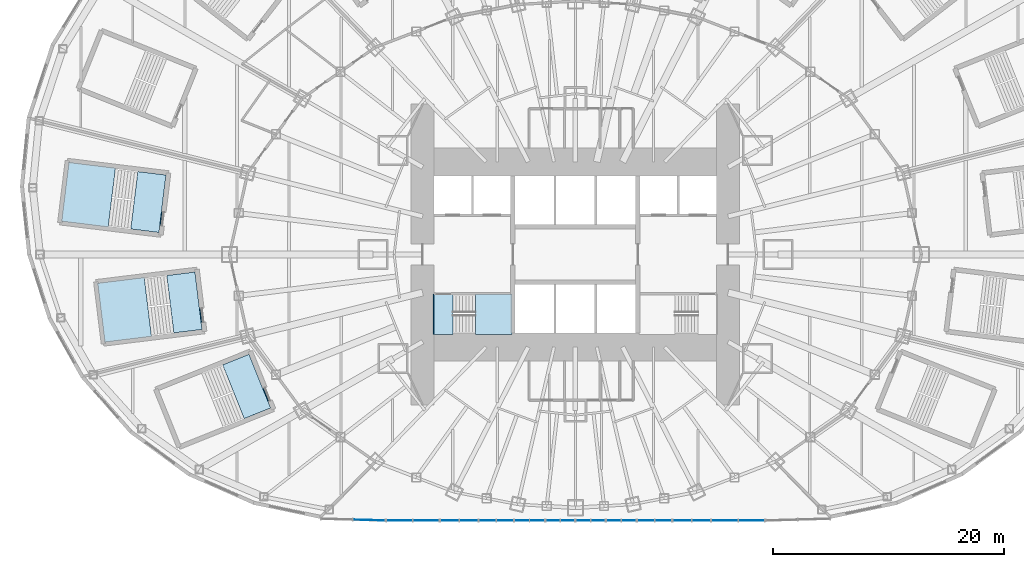
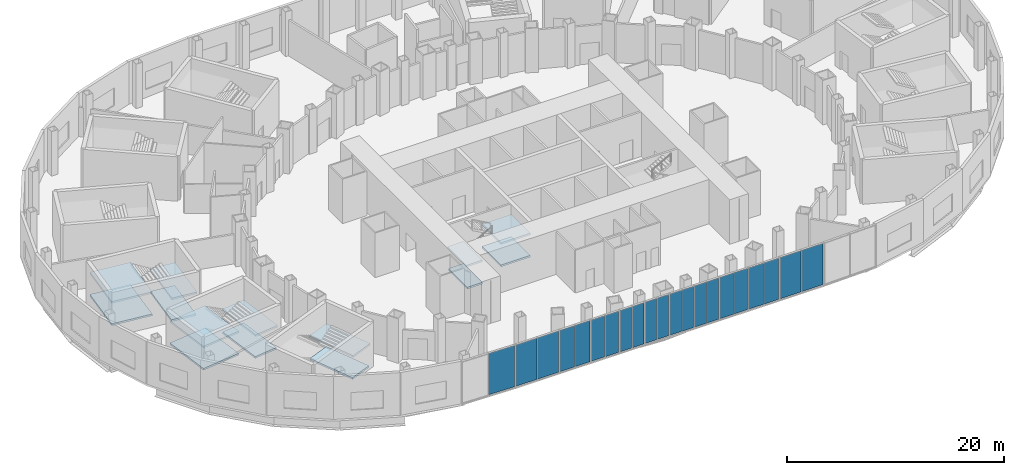
# One storey, part 11 of 73: 21 plates, 14 slabs, 15 elements without a shape of their own.
"""IFC4 building model written with IfcOpenShell, lengths in metres."""

import ifcopenshell
import ifcopenshell.guid

model = None  # the IFC model being written
_history = None  # IfcOwnerHistory: only IFC2X3 demands one
_inside = {}  # id of a spatial element -> (the spatial element, [elements in it])
_under = {}  # id of a project, library or spatial element -> (it, [spatial elements below it])
_declared = {}  # id of a project -> (the project, [libraries it declares])
_typed = {}  # id of a type object -> (the type object, [elements of that type])
_made_of = {}  # id of a material, layer set ... -> (it, [elements and type objects made of it])


def new_model(schema):
    """Start an empty IFC model of exactly this schema.

    Asked for "IFC4X3", IfcOpenShell would pick the latest addendum, in which some entities
    have other attributes; the version numbers below select the first issue.
    IFC2X3 requires an IfcOwnerHistory on every rooted entity: one is made here for all.
    """
    global model, _history
    if schema == "IFC4X3":
        model = ifcopenshell.file(schema_version=(4, 3, 0, 0))
    else:
        model = ifcopenshell.file(schema=schema)
    _inside.clear()
    _under.clear()
    _declared.clear()
    _typed.clear()
    _made_of.clear()
    _history = None
    if model.schema == "IFC2X3":
        org = make("IfcOrganization", Name="unknown")
        user = make(
            "IfcPersonAndOrganization",
            ThePerson=make("IfcPerson", FamilyName="unknown"),
            TheOrganization=org,
        )
        app = make(
            "IfcApplication",
            ApplicationDeveloper=org,
            Version="unknown",
            ApplicationFullName="unknown",
            ApplicationIdentifier="unknown",
        )
        _history = make(
            "IfcOwnerHistory",
            OwningUser=user,
            OwningApplication=app,
            ChangeAction="ADDED",
            CreationDate=0,
        )
    return model


def make(cls, **values):
    """One entity of the class cls with the attributes given. An attribute that is None is left unset."""
    return model.create_entity(
        cls, **{name: value for name, value in values.items() if value is not None}
    )


def rooted(cls, **values):
    """An entity with a GlobalId (a new one), such as an element, a storey or a relation."""
    return make(cls, GlobalId=ifcopenshell.guid.new(), OwnerHistory=_history, **values)


def si_unit(unit_type, name, prefix=None):
    """IfcSIUnit, for example si_unit("LENGTHUNIT", "METRE", prefix="MILLI")."""
    return make("IfcSIUnit", UnitType=unit_type, Prefix=prefix, Name=name)


def assignment(units):
    """IfcUnitAssignment: the units of a project."""
    return None if units is None else make("IfcUnitAssignment", Units=units)


def point(xyz):
    """IfcCartesianPoint."""
    return None if xyz is None else make("IfcCartesianPoint", Coordinates=xyz)


def direction(xyz):
    """IfcDirection."""
    return None if xyz is None else make("IfcDirection", DirectionRatios=xyz)


def frame(location, z_axis=None, x_axis=None):
    """IfcAxis2Placement3D, a coordinate frame: its origin and axes. An axis left out is left unset."""
    return make(
        "IfcAxis2Placement3D",
        Location=point(location),
        Axis=direction(z_axis),
        RefDirection=direction(x_axis),
    )


def frame_2d(location, x_axis=None):
    """IfcAxis2Placement2D, a coordinate frame in the plane: its origin and x axis."""
    return make(
        "IfcAxis2Placement2D", Location=point(location), RefDirection=direction(x_axis)
    )


def origin():
    """The frame at (0, 0, 0) with its axes left unset."""
    return frame((0.0, 0.0, 0.0))


def origin_2d():
    """The frame at (0, 0) in the plane with its x axis left unset."""
    return frame_2d((0.0, 0.0))


def place(relative_to, where):
    """IfcLocalPlacement: puts the frame where relative to a parent placement (None: the world)."""
    return make(
        "IfcLocalPlacement", PlacementRelTo=relative_to, RelativePlacement=where
    )


def context(
    kind, dimensions, precision=None, world=None, true_north=None, identifier=None
):
    """IfcGeometricRepresentationContext, for example the 3D "Model" context."""
    return make(
        "IfcGeometricRepresentationContext",
        ContextIdentifier=identifier,
        ContextType=kind,
        CoordinateSpaceDimension=dimensions,
        Precision=precision,
        WorldCoordinateSystem=world,
        TrueNorth=true_north,
    )


def subcontext(parent, identifier, kind, view, scale=None):
    """IfcGeometricRepresentationSubContext, for example "Body" below "Model"."""
    return make(
        "IfcGeometricRepresentationSubContext",
        ContextIdentifier=identifier,
        ContextType=kind,
        ParentContext=parent,
        TargetScale=scale,
        TargetView=view,
    )


def project(units=None, contexts=None):
    """IfcProject with its units and contexts."""
    return rooted(
        "IfcProject",
        Name="project",
        RepresentationContexts=contexts,
        UnitsInContext=assignment(units),
    )


def spatial(cls, under=None, at=None, **own):
    """A site, building, storey or space (cls), placed at a placement, below another one or the project."""
    s = rooted(cls, ObjectPlacement=at, **own)
    if under is not None:
        _under.setdefault(under.id(), (under, []))[1].append(s)
    return s


def polyline(points):
    """IfcPolyline through the points."""
    return make("IfcPolyline", Points=[point(p) for p in points])


def profile(cls, at=None, kind="AREA", **sizes):
    """A parametric profile (cls). Its sizes go by their IFC names, for example OverallWidth=200.0."""
    return make(cls, ProfileType=kind, Position=at, **sizes)


def rectangle(**sizes):
    """IfcRectangleProfileDef."""
    return profile("IfcRectangleProfileDef", **sizes)


def outline(outer, holes=None, kind="AREA"):
    """IfcArbitraryClosedProfileDef: a profile drawn as a closed curve; with holes, ...WithVoids."""
    if holes is None:
        return make("IfcArbitraryClosedProfileDef", ProfileType=kind, OuterCurve=outer)
    return make(
        "IfcArbitraryProfileDefWithVoids",
        ProfileType=kind,
        OuterCurve=outer,
        InnerCurves=holes,
    )


def extrude(swept, where, along, depth):
    """IfcExtrudedAreaSolid: the profile swept, set in the frame where, extruded along a direction by depth."""
    return make(
        "IfcExtrudedAreaSolid",
        SweptArea=swept,
        Position=where,
        ExtrudedDirection=direction(along),
        Depth=depth,
    )


def shape(context_of_items, identifier, shape_type, items):
    """IfcShapeRepresentation: the items that make up one representation, for example the "Body"."""
    return make(
        "IfcShapeRepresentation",
        ContextOfItems=context_of_items,
        RepresentationIdentifier=identifier,
        RepresentationType=shape_type,
        Items=items,
    )


def material(Name=None, Category=None):
    """IfcMaterial."""
    return make("IfcMaterial", Name=Name, Category=Category)


def layer(
    of_material, thickness, ventilated=None, Name=None, Category=None, Priority=None
):
    """IfcMaterialLayer: one layer of a wall or slab, of a material (None: an air gap)."""
    return make(
        "IfcMaterialLayer",
        Material=of_material,
        LayerThickness=thickness,
        IsVentilated=ventilated,
        Name=Name,
        Category=Category,
        Priority=Priority,
    )


def layer_set(layers, Name=None):
    """IfcMaterialLayerSet."""
    return make("IfcMaterialLayerSet", MaterialLayers=layers, LayerSetName=Name)


def made_of(thing, what):
    """Note that an element or type object is made of a material, layer set ...; save() writes the relation."""
    if what is not None:
        _made_of.setdefault(what.id(), (what, []))[1].append(thing)
    return thing


def type_object(cls, material=None, **own):
    """A type object (cls), such as IfcWallType, which elements share."""
    return made_of(rooted(cls, **own), material)


def element(
    cls,
    number,
    at=None,
    inside=None,
    cuts=None,
    type_object=None,
    material=None,
    context=None,
    identifier="Body",
    shape_type=None,
    held_by="IfcProductDefinitionShape",
    body=None,
    shapes=None,
    **own,
):
    """One element of the class cls, such as IfcWall. Its Tag is "e" and its number.

    at: its placement. inside: the storey or other place that contains it. cuts: it is an
    opening in that element (IfcRelVoidsElement). A single representation is given by context,
    identifier, shape_type and body (its items); several are given by shapes. held_by: the class
    of the entity that holds the representations. save() writes the other relations.
    """
    e = rooted(cls, Tag="e%d" % number, ObjectPlacement=at, **own)
    if body is not None:
        shapes = [shape(context, identifier, shape_type, body)]
    if shapes is not None:
        e.Representation = make(held_by, Representations=shapes)
    if inside is not None:
        _inside.setdefault(inside.id(), (inside, []))[1].append(e)
    if cuts is not None:
        rooted(
            "IfcRelVoidsElement", RelatingBuildingElement=cuts, RelatedOpeningElement=e
        )
    if type_object is not None:
        _typed.setdefault(type_object.id(), (type_object, []))[1].append(e)
    return made_of(e, material)


def aggregate(whole, parts):
    """IfcRelAggregates: a whole, such as a stair, and the parts it consists of."""
    return rooted("IfcRelAggregates", RelatingObject=whole, RelatedObjects=parts)


def save(model, path):
    """Write the relations noted so far, then the file.

    IfcRelAggregates (storeys below a building ...), IfcRelContainedInSpatialStructure (elements
    in a storey), IfcRelDefinesByType, IfcRelAssociatesMaterial and IfcRelDeclares: one each for
    every whole, place, type object, material and project.
    """
    for whole, parts in _under.values():
        aggregate(whole, parts)
    for where, things in _inside.values():
        rooted(
            "IfcRelContainedInSpatialStructure",
            RelatedElements=things,
            RelatingStructure=where,
        )
    for kind, things in _typed.values():
        rooted("IfcRelDefinesByType", RelatedObjects=things, RelatingType=kind)
    for what, things in _made_of.values():
        rooted("IfcRelAssociatesMaterial", RelatedObjects=things, RelatingMaterial=what)
    for by, libraries in _declared.values():
        rooted("IfcRelDeclares", RelatingContext=by, RelatedDefinitions=libraries)
    model.write(path)


model = new_model("IFC4")

# Units and contexts
model_context = context("Model", 3, precision=1e-05, world=origin(), true_north=direction((0.0, 1.0)))
body_context = subcontext(model_context, "Body", "Model", "MODEL_VIEW")
ifc_project = project(units=[si_unit("LENGTHUNIT", "METRE"), si_unit("AREAUNIT", "SQUARE_METRE"), si_unit("VOLUMEUNIT", "CUBIC_METRE"), si_unit("PLANEANGLEUNIT", "RADIAN"), si_unit("MASSUNIT", "GRAM", prefix="KILO")], contexts=[model_context])

# Site, building, storey
site_placement = place(None, origin())
site = spatial("IfcSite", under=ifc_project, at=site_placement, CompositionType="ELEMENT")
building_placement = place(site_placement, origin())
building = spatial("IfcBuilding", under=site, at=building_placement, Name="Lantaw Convention Tower", CompositionType="ELEMENT")
storey_placement = place(building_placement, frame((0.0, 0.0, 22.0)))
storey = spatial("IfcBuildingStorey", under=building, at=storey_placement, Name="L03", CompositionType="ELEMENT", Elevation=22.0)

# Curtain wall, plate
ifc_material_1 = material(Name="Aluminium framed curtain wall", Category="aluminium")
curtain_wall_type = type_object("IfcCurtainWallType", Name="Podium storefront curtain wall, pale aluminium", PredefinedType="USERDEFINED", material=ifc_material_1)
curtain_wall_1_placement = place(storey_placement, origin())
curtain_wall_1 = element("IfcCurtainWall", 1, at=curtain_wall_1_placement, inside=storey, type_object=curtain_wall_type, Name="Podium storefront curtain wall, pale aluminium L03", ObjectType="STOREFRONT", PredefinedType="USERDEFINED")
ifc_material_2 = material(Name="Laminated clear glass", Category="glass")
ifc_layer_1 = layer(ifc_material_2, 0.031982421875)
ifc_layer_set_1 = layer_set([ifc_layer_1], Name="CW-P panel 32")
plate_type = type_object("IfcPlateType", Name="CW-P panel 32", PredefinedType="CURTAIN_PANEL", material=ifc_layer_set_1)
plate_1_placement = place(storey_placement, frame((-17.838134765625, -22.958984375, 0.080078125), z_axis=(0.0, 0.0, 1.0), x_axis=(0.99959230263, -0.028552206976, 0.0)))
plate_1 = element("IfcPlate", 2, at=plate_1_placement, type_object=plate_type, Name="CW-P panel 2.1", PredefinedType="CURTAIN_PANEL", context=body_context, shape_type="SweptSolid", body=[
    extrude(rectangle(XDim=2.705810546875, YDim=0.031982421875, at=origin_2d()), origin(), (0.0, 0.0, 1.0), 4.639892578125),
])
aggregate(curtain_wall_1, [plate_1])

# Curtain wall, plates
curtain_wall_2_placement = place(storey_placement, origin())
curtain_wall_2 = element("IfcCurtainWall", 3, at=curtain_wall_2_placement, inside=storey, type_object=curtain_wall_type, Name="Podium storefront curtain wall, pale aluminium L03", ObjectType="STOREFRONT", PredefinedType="USERDEFINED")
plate_2_placement = place(storey_placement, frame((-15.214111328125, -23.0, 0.080078125), z_axis=(0.0, 0.0, 1.0), x_axis=(1.0, 0.0, 0.0)))
plate_2 = element("IfcPlate", 4, at=plate_2_placement, type_object=plate_type, Name="CW-P panel 1.1", PredefinedType="CURTAIN_PANEL", context=body_context, shape_type="SweptSolid", body=[
    extrude(rectangle(XDim=2.223388671875, YDim=0.031982421875, at=origin_2d()), origin(), (0.0, 0.0, 1.0), 4.639892578125),
])
plate_3_placement = place(storey_placement, frame((-12.91064453125, -23.0, 0.080078125), z_axis=(0.0, 0.0, 1.0), x_axis=(1.0, 0.0, 0.0)))
plate_3 = element("IfcPlate", 5, at=plate_3_placement, type_object=plate_type, Name="CW-P panel 2.1", PredefinedType="CURTAIN_PANEL", context=body_context, shape_type="SweptSolid", body=[
    extrude(rectangle(XDim=2.223388671875, YDim=0.031982421875, at=origin_2d()), origin(), (0.0, 0.0, 1.0), 4.639892578125),
])
aggregate(curtain_wall_2, [plate_2, plate_3])

curtain_wall_3_placement = place(storey_placement, origin())
curtain_wall_3 = element("IfcCurtainWall", 6, at=curtain_wall_3_placement, inside=storey, type_object=curtain_wall_type, Name="Podium storefront curtain wall, pale aluminium L03", ObjectType="STOREFRONT", PredefinedType="USERDEFINED")
plate_4_placement = place(storey_placement, frame((-10.862060546875, -23.0, 0.080078125), z_axis=(0.0, 0.0, 1.0), x_axis=(1.0, 0.0, 0.0)))
plate_4 = element("IfcPlate", 7, at=plate_4_placement, type_object=plate_type, Name="CW-P panel 1.1", PredefinedType="CURTAIN_PANEL", context=body_context, shape_type="SweptSolid", body=[
    extrude(rectangle(XDim=1.553955078125, YDim=0.031982421875, at=origin_2d()), origin(), (0.0, 0.0, 1.0), 4.639892578125),
])
plate_5_placement = place(storey_placement, frame((-9.228271484375, -23.0, 0.080078125), z_axis=(0.0, 0.0, 1.0), x_axis=(1.0, 0.0, 0.0)))
plate_5 = element("IfcPlate", 8, at=plate_5_placement, type_object=plate_type, Name="CW-P panel 2.1", PredefinedType="CURTAIN_PANEL", context=body_context, shape_type="SweptSolid", body=[
    extrude(rectangle(XDim=1.553955078125, YDim=0.031982421875, at=origin_2d()), origin(), (0.0, 0.0, 1.0), 4.639892578125),
])
aggregate(curtain_wall_3, [plate_4, plate_5])

curtain_wall_4_placement = place(storey_placement, origin())
curtain_wall_4 = element("IfcCurtainWall", 9, at=curtain_wall_4_placement, inside=storey, type_object=curtain_wall_type, Name="Podium storefront curtain wall, pale aluminium L03", ObjectType="STOREFRONT", PredefinedType="USERDEFINED")
plate_6_placement = place(storey_placement, frame((-7.5859375, -23.0, 0.080078125), z_axis=(0.0, 0.0, 1.0), x_axis=(1.0, 0.0, 0.0)))
plate_6 = element("IfcPlate", 10, at=plate_6_placement, type_object=plate_type, Name="CW-P panel 1.1", PredefinedType="CURTAIN_PANEL", context=body_context, shape_type="SweptSolid", body=[
    extrude(rectangle(XDim=1.41064453125, YDim=0.031982421875, at=origin_2d()), origin(), (0.0, 0.0, 1.0), 4.639892578125),
])
plate_7_placement = place(storey_placement, frame((-6.09521484375, -23.0, 0.080078125), z_axis=(0.0, 0.0, 1.0), x_axis=(1.0, 0.0, 0.0)))
plate_7 = element("IfcPlate", 11, at=plate_7_placement, type_object=plate_type, Name="CW-P panel 2.1", PredefinedType="CURTAIN_PANEL", context=body_context, shape_type="SweptSolid", body=[
    extrude(rectangle(XDim=1.41064453125, YDim=0.031982421875, at=origin_2d()), origin(), (0.0, 0.0, 1.0), 4.639892578125),
])
aggregate(curtain_wall_4, [plate_6, plate_7])

curtain_wall_5_placement = place(storey_placement, origin())
curtain_wall_5 = element("IfcCurtainWall", 12, at=curtain_wall_5_placement, inside=storey, type_object=curtain_wall_type, Name="Podium storefront curtain wall, pale aluminium L03", ObjectType="STOREFRONT", PredefinedType="USERDEFINED")
plate_8_placement = place(storey_placement, frame((-4.61767578125, -23.0, 0.080078125), z_axis=(0.0, 0.0, 1.0), x_axis=(1.0, 0.0, 0.0)))
plate_8 = element("IfcPlate", 13, at=plate_8_placement, type_object=plate_type, Name="CW-P panel 1.1", PredefinedType="CURTAIN_PANEL", context=body_context, shape_type="SweptSolid", body=[
    extrude(rectangle(XDim=1.224609375, YDim=0.031982421875, at=origin_2d()), origin(), (0.0, 0.0, 1.0), 4.639892578125),
])
plate_9_placement = place(storey_placement, frame((-3.31298828125, -23.0, 0.080078125), z_axis=(0.0, 0.0, 1.0), x_axis=(1.0, 0.0, 0.0)))
plate_9 = element("IfcPlate", 14, at=plate_9_placement, type_object=plate_type, Name="CW-P panel 2.1", PredefinedType="CURTAIN_PANEL", context=body_context, shape_type="SweptSolid", body=[
    extrude(rectangle(XDim=1.224609375, YDim=0.031982421875, at=origin_2d()), origin(), (0.0, 0.0, 1.0), 4.639892578125),
])
aggregate(curtain_wall_5, [plate_8, plate_9])

curtain_wall_6_placement = place(storey_placement, origin())
curtain_wall_6 = element("IfcCurtainWall", 15, at=curtain_wall_6_placement, inside=storey, type_object=curtain_wall_type, Name="Podium storefront curtain wall, pale aluminium L03", ObjectType="STOREFRONT", PredefinedType="USERDEFINED")
plate_10_placement = place(storey_placement, frame((-1.9453125, -23.0, 0.080078125), z_axis=(0.0, 0.0, 1.0), x_axis=(1.0, 0.0, 0.0)))
plate_10 = element("IfcPlate", 16, at=plate_10_placement, type_object=plate_type, Name="CW-P panel 1.1", PredefinedType="CURTAIN_PANEL", context=body_context, shape_type="SweptSolid", body=[
    extrude(rectangle(XDim=1.190185546875, YDim=0.031982421875, at=origin_2d()), origin(), (0.0, 0.0, 1.0), 4.639892578125),
])
plate_11_placement = place(storey_placement, frame((-0.675048828125, -23.0, 0.080078125), z_axis=(0.0, 0.0, 1.0), x_axis=(1.0, 0.0, 0.0)))
plate_11 = element("IfcPlate", 17, at=plate_11_placement, type_object=plate_type, Name="CW-P panel 2.1", PredefinedType="CURTAIN_PANEL", context=body_context, shape_type="SweptSolid", body=[
    extrude(rectangle(XDim=1.190185546875, YDim=0.031982421875, at=origin_2d()), origin(), (0.0, 0.0, 1.0), 4.639892578125),
])
aggregate(curtain_wall_6, [plate_10, plate_11])

curtain_wall_7_placement = place(storey_placement, origin())
curtain_wall_7 = element("IfcCurtainWall", 18, at=curtain_wall_7_placement, inside=storey, type_object=curtain_wall_type, Name="Podium storefront curtain wall, pale aluminium L03", ObjectType="STOREFRONT", PredefinedType="USERDEFINED")
plate_12_placement = place(storey_placement, frame((0.675048828125, -23.0, 0.080078125), z_axis=(0.0, 0.0, 1.0), x_axis=(1.0, 0.0, 0.0)))
plate_12 = element("IfcPlate", 19, at=plate_12_placement, type_object=plate_type, Name="CW-P panel 1.1", PredefinedType="CURTAIN_PANEL", context=body_context, shape_type="SweptSolid", body=[
    extrude(rectangle(XDim=1.190185546875, YDim=0.031982421875, at=origin_2d()), origin(), (0.0, 0.0, 1.0), 4.639892578125),
])
plate_13_placement = place(storey_placement, frame((1.9453125, -23.0, 0.080078125), z_axis=(0.0, 0.0, 1.0), x_axis=(1.0, 0.0, 0.0)))
plate_13 = element("IfcPlate", 20, at=plate_13_placement, type_object=plate_type, Name="CW-P panel 2.1", PredefinedType="CURTAIN_PANEL", context=body_context, shape_type="SweptSolid", body=[
    extrude(rectangle(XDim=1.190185546875, YDim=0.031982421875, at=origin_2d()), origin(), (0.0, 0.0, 1.0), 4.639892578125),
])
aggregate(curtain_wall_7, [plate_12, plate_13])

curtain_wall_8_placement = place(storey_placement, origin())
curtain_wall_8 = element("IfcCurtainWall", 21, at=curtain_wall_8_placement, inside=storey, type_object=curtain_wall_type, Name="Podium storefront curtain wall, pale aluminium L03", ObjectType="STOREFRONT", PredefinedType="USERDEFINED")
plate_14_placement = place(storey_placement, frame((3.31298828125, -23.0, 0.080078125), z_axis=(0.0, 0.0, 1.0), x_axis=(1.0, 0.0, 0.0)))
plate_14 = element("IfcPlate", 22, at=plate_14_placement, type_object=plate_type, Name="CW-P panel 1.1", PredefinedType="CURTAIN_PANEL", context=body_context, shape_type="SweptSolid", body=[
    extrude(rectangle(XDim=1.224609375, YDim=0.031982421875, at=origin_2d()), origin(), (0.0, 0.0, 1.0), 4.639892578125),
])
plate_15_placement = place(storey_placement, frame((4.61767578125, -23.0, 0.080078125), z_axis=(0.0, 0.0, 1.0), x_axis=(1.0, 0.0, 0.0)))
plate_15 = element("IfcPlate", 23, at=plate_15_placement, type_object=plate_type, Name="CW-P panel 2.1", PredefinedType="CURTAIN_PANEL", context=body_context, shape_type="SweptSolid", body=[
    extrude(rectangle(XDim=1.224609375, YDim=0.031982421875, at=origin_2d()), origin(), (0.0, 0.0, 1.0), 4.639892578125),
])
aggregate(curtain_wall_8, [plate_14, plate_15])

curtain_wall_9_placement = place(storey_placement, origin())
curtain_wall_9 = element("IfcCurtainWall", 24, at=curtain_wall_9_placement, inside=storey, type_object=curtain_wall_type, Name="Podium storefront curtain wall, pale aluminium L03", ObjectType="STOREFRONT", PredefinedType="USERDEFINED")
plate_16_placement = place(storey_placement, frame((6.09521484375, -23.0, 0.080078125), z_axis=(0.0, 0.0, 1.0), x_axis=(1.0, 0.0, 0.0)))
plate_16 = element("IfcPlate", 25, at=plate_16_placement, type_object=plate_type, Name="CW-P panel 1.1", PredefinedType="CURTAIN_PANEL", context=body_context, shape_type="SweptSolid", body=[
    extrude(rectangle(XDim=1.41064453125, YDim=0.031982421875, at=origin_2d()), origin(), (0.0, 0.0, 1.0), 4.639892578125),
])
plate_17_placement = place(storey_placement, frame((7.5859375, -23.0, 0.080078125), z_axis=(0.0, 0.0, 1.0), x_axis=(1.0, 0.0, 0.0)))
plate_17 = element("IfcPlate", 26, at=plate_17_placement, type_object=plate_type, Name="CW-P panel 2.1", PredefinedType="CURTAIN_PANEL", context=body_context, shape_type="SweptSolid", body=[
    extrude(rectangle(XDim=1.41064453125, YDim=0.031982421875, at=origin_2d()), origin(), (0.0, 0.0, 1.0), 4.639892578125),
])
aggregate(curtain_wall_9, [plate_16, plate_17])

curtain_wall_10_placement = place(storey_placement, origin())
curtain_wall_10 = element("IfcCurtainWall", 27, at=curtain_wall_10_placement, inside=storey, type_object=curtain_wall_type, Name="Podium storefront curtain wall, pale aluminium L03", ObjectType="STOREFRONT", PredefinedType="USERDEFINED")
plate_18_placement = place(storey_placement, frame((9.228271484375, -23.0, 0.080078125), z_axis=(0.0, 0.0, 1.0), x_axis=(1.0, 0.0, 0.0)))
plate_18 = element("IfcPlate", 28, at=plate_18_placement, type_object=plate_type, Name="CW-P panel 1.1", PredefinedType="CURTAIN_PANEL", context=body_context, shape_type="SweptSolid", body=[
    extrude(rectangle(XDim=1.553955078125, YDim=0.031982421875, at=origin_2d()), origin(), (0.0, 0.0, 1.0), 4.639892578125),
])
plate_19_placement = place(storey_placement, frame((10.862060546875, -23.0, 0.080078125), z_axis=(0.0, 0.0, 1.0), x_axis=(1.0, 0.0, 0.0)))
plate_19 = element("IfcPlate", 29, at=plate_19_placement, type_object=plate_type, Name="CW-P panel 2.1", PredefinedType="CURTAIN_PANEL", context=body_context, shape_type="SweptSolid", body=[
    extrude(rectangle(XDim=1.553955078125, YDim=0.031982421875, at=origin_2d()), origin(), (0.0, 0.0, 1.0), 4.639892578125),
])
aggregate(curtain_wall_10, [plate_18, plate_19])

curtain_wall_11_placement = place(storey_placement, origin())
curtain_wall_11 = element("IfcCurtainWall", 30, at=curtain_wall_11_placement, inside=storey, type_object=curtain_wall_type, Name="Podium storefront curtain wall, pale aluminium L03", ObjectType="STOREFRONT", PredefinedType="USERDEFINED")
plate_20_placement = place(storey_placement, frame((12.91064453125, -23.0, 0.080078125), z_axis=(0.0, 0.0, 1.0), x_axis=(1.0, 0.0, 0.0)))
plate_20 = element("IfcPlate", 31, at=plate_20_placement, type_object=plate_type, Name="CW-P panel 1.1", PredefinedType="CURTAIN_PANEL", context=body_context, shape_type="SweptSolid", body=[
    extrude(rectangle(XDim=2.223388671875, YDim=0.031982421875, at=origin_2d()), origin(), (0.0, 0.0, 1.0), 4.639892578125),
])
plate_21_placement = place(storey_placement, frame((15.214111328125, -23.0, 0.080078125), z_axis=(0.0, 0.0, 1.0), x_axis=(1.0, 0.0, 0.0)))
plate_21 = element("IfcPlate", 32, at=plate_21_placement, type_object=plate_type, Name="CW-P panel 2.1", PredefinedType="CURTAIN_PANEL", context=body_context, shape_type="SweptSolid", body=[
    extrude(rectangle(XDim=2.223388671875, YDim=0.031982421875, at=origin_2d()), origin(), (0.0, 0.0, 1.0), 4.639892578125),
])
aggregate(curtain_wall_11, [plate_20, plate_21])

# Stair, slabs
ifc_material_3 = material(Name="Concrete C35/45", Category="concrete")
stair_type_1 = type_object("IfcStairType", Name="Exit stair 1500 riser 156.25 in 4 flights", PredefinedType="HALF_TURN_STAIR", material=ifc_material_3)
stair_1_placement = place(storey_placement, origin())
stair_1 = element("IfcStair", 33, at=stair_1_placement, inside=storey, type_object=stair_type_1, Name="Exit stair S1 L03", PredefinedType="HALF_TURN_STAIR")
ifc_layer_2 = layer(ifc_material_3, 0.199951171875)
ifc_layer_set_2 = layer_set([ifc_layer_2], Name="Stair landing 200")
slab_type = type_object("IfcSlabType", Name="Stair landing 200", PredefinedType="LANDING", material=ifc_layer_set_2)
slab_1_placement = place(storey_placement, frame((0.0, 0.0, -0.199951171875)))
slab_1 = element("IfcSlab", 34, at=slab_1_placement, type_object=slab_type, Name="S1 landing 1", PredefinedType="LANDING", context=body_context, shape_type="SweptSolid", body=[
    extrude(outline(polyline([(-12.199951171875, -6.89990234375), (-10.580078125, -6.89990234375), (-10.580078125, -3.39990234375), (-12.199951171875, -3.39990234375), (-12.199951171875, -6.89990234375)])), origin(), (0.0, 0.0, 1.0), 0.199951171875),
])
slab_2_placement = place(storey_placement, frame((0.0, 0.0, 1.050048828125)))
slab_2 = element("IfcSlab", 35, at=slab_2_placement, type_object=slab_type, Name="S1 landing 2", PredefinedType="LANDING", context=body_context, shape_type="SweptSolid", body=[
    extrude(outline(polyline([(-8.6201171875, -6.89990234375), (-5.5, -6.89990234375), (-5.5, -3.39990234375), (-8.6201171875, -3.39990234375), (-8.6201171875, -6.89990234375)])), origin(), (0.0, 0.0, 1.0), 0.199951171875),
])
slab_3_placement = place(storey_placement, frame((0.0, 0.0, 2.300048828125)))
slab_3 = element("IfcSlab", 36, at=slab_3_placement, type_object=slab_type, Name="S1 landing 3", PredefinedType="LANDING", context=body_context, shape_type="SweptSolid", body=[
    extrude(outline(polyline([(-12.300048828125, -6.89990234375), (-10.580078125, -6.89990234375), (-10.580078125, -3.39990234375), (-12.300048828125, -3.39990234375), (-12.300048828125, -6.89990234375)])), origin(), (0.0, 0.0, 1.0), 0.199951171875),
])
slab_4_placement = place(storey_placement, frame((0.0, 0.0, 3.550048828125)))
slab_4 = element("IfcSlab", 37, at=slab_4_placement, type_object=slab_type, Name="S1 landing 4", PredefinedType="LANDING", context=body_context, shape_type="SweptSolid", body=[
    extrude(outline(polyline([(-8.6201171875, -6.89990234375), (-5.5, -6.89990234375), (-5.5, -3.39990234375), (-8.6201171875, -3.39990234375), (-8.6201171875, -6.89990234375)])), origin(), (0.0, 0.0, 1.0), 0.199951171875),
])
aggregate(stair_1, [slab_1, slab_2, slab_3, slab_4])

stair_type_2 = type_object("IfcStairType", Name="Exit stair 2400 riser 156.25 in 4 flights", PredefinedType="HALF_TURN_STAIR", material=ifc_material_3)
stair_2_placement = place(storey_placement, origin())
stair_2 = element("IfcStair", 38, at=stair_2_placement, inside=storey, type_object=stair_type_2, Name="Podium exit stair P9 L03", PredefinedType="HALF_TURN_STAIR")
slab_5_placement = place(storey_placement, frame((0.0, 0.0, -0.199951171875)))
slab_5 = element("IfcSlab", 39, at=slab_5_placement, type_object=slab_type, Name="P9 landing 1", PredefinedType="LANDING", context=body_context, shape_type="SweptSolid", body=[
    extrude(outline(polyline([(-35.387451171875, 6.86376953125), (-37.8212890625, 7.16259765625), (-38.4306640625, 2.199951171875), (-35.996826171875, 1.901123046875), (-35.387451171875, 6.86376953125)])), origin(), (0.0, 0.0, 1.0), 0.199951171875),
])
slab_6_placement = place(storey_placement, frame((0.0, 0.0, 1.050048828125)))
slab_6 = element("IfcSlab", 40, at=slab_6_placement, type_object=slab_type, Name="P9 landing 2", PredefinedType="LANDING", context=body_context, shape_type="SweptSolid", body=[
    extrude(outline(polyline([(-39.7529296875, 7.48046875), (-43.794677734375, 7.9765625), (-44.42333984375, 2.855224609375), (-40.3818359375, 2.35888671875), (-39.7529296875, 7.48046875)])), origin(), (0.0, 0.0, 1.0), 0.199951171875),
])
slab_7_placement = place(storey_placement, frame((0.0, 0.0, 2.300048828125)))
slab_7 = element("IfcSlab", 41, at=slab_7_placement, type_object=slab_type, Name="P9 landing 3", PredefinedType="LANDING", context=body_context, shape_type="SweptSolid", body=[
    extrude(outline(polyline([(-35.29833984375, 6.93359375), (-37.8115234375, 7.241943359375), (-38.4404296875, 2.12060546875), (-35.92724609375, 1.81201171875), (-35.29833984375, 6.93359375)])), origin(), (0.0, 0.0, 1.0), 0.199951171875),
])
slab_8_placement = place(storey_placement, frame((0.0, 0.0, 3.550048828125)))
slab_8 = element("IfcSlab", 42, at=slab_8_placement, type_object=slab_type, Name="P9 landing 4", PredefinedType="LANDING", context=body_context, shape_type="SweptSolid", body=[
    extrude(outline(polyline([(-39.7529296875, 7.48046875), (-43.794677734375, 7.9765625), (-44.42333984375, 2.855224609375), (-40.3818359375, 2.35888671875), (-39.7529296875, 7.48046875)])), origin(), (0.0, 0.0, 1.0), 0.199951171875),
])
aggregate(stair_2, [slab_5, slab_6, slab_7, slab_8])

stair_3_placement = place(storey_placement, origin())
stair_3 = element("IfcStair", 43, at=stair_3_placement, inside=storey, type_object=stair_type_2, Name="Podium exit stair P10 L03", PredefinedType="HALF_TURN_STAIR")
slab_9_placement = place(storey_placement, frame((0.0, 0.0, -0.199951171875)))
slab_9 = element("IfcSlab", 44, at=slab_9_placement, type_object=slab_type, Name="P10 landing 1", PredefinedType="LANDING", context=body_context, shape_type="SweptSolid", body=[
    extrude(outline(polyline([(-32.8828125, -1.518798828125), (-35.31640625, -1.817626953125), (-34.70703125, -6.7802734375), (-32.2734375, -6.4814453125), (-32.8828125, -1.518798828125)])), origin(), (0.0, 0.0, 1.0), 0.199951171875),
])
slab_10_placement = place(storey_placement, frame((0.0, 0.0, 1.050048828125)))
slab_10 = element("IfcSlab", 45, at=slab_10_placement, type_object=slab_type, Name="P10 landing 2", PredefinedType="LANDING", context=body_context, shape_type="SweptSolid", body=[
    extrude(outline(polyline([(-37.267578125, -1.9765625), (-41.309326171875, -2.47265625), (-40.680419921875, -7.59423828125), (-36.638916015625, -7.09814453125), (-37.267578125, -1.9765625)])), origin(), (0.0, 0.0, 1.0), 0.199951171875),
])
slab_11_placement = place(storey_placement, frame((0.0, 0.0, 2.300048828125)))
slab_11 = element("IfcSlab", 46, at=slab_11_placement, type_object=slab_type, Name="P10 landing 3", PredefinedType="LANDING", context=body_context, shape_type="SweptSolid", body=[
    extrude(outline(polyline([(-32.81298828125, -1.4296875), (-35.326171875, -1.738037109375), (-34.697265625, -6.859619140625), (-32.184326171875, -6.551025390625), (-32.81298828125, -1.4296875)])), origin(), (0.0, 0.0, 1.0), 0.199951171875),
])
slab_12_placement = place(storey_placement, frame((0.0, 0.0, 3.550048828125)))
slab_12 = element("IfcSlab", 47, at=slab_12_placement, type_object=slab_type, Name="P10 landing 4", PredefinedType="LANDING", context=body_context, shape_type="SweptSolid", body=[
    extrude(outline(polyline([(-37.267578125, -1.9765625), (-41.309326171875, -2.47265625), (-40.680419921875, -7.59423828125), (-36.638916015625, -7.09814453125), (-37.267578125, -1.9765625)])), origin(), (0.0, 0.0, 1.0), 0.199951171875),
])
aggregate(stair_3, [slab_9, slab_10, slab_11, slab_12])

stair_4_placement = place(storey_placement, origin())
stair_4 = element("IfcStair", 48, at=stair_4_placement, inside=storey, type_object=stair_type_2, Name="Podium exit stair P11 L03", PredefinedType="HALF_TURN_STAIR")
slab_13_placement = place(storey_placement, frame((0.0, 0.0, -0.199951171875)))
slab_13 = element("IfcSlab", 49, at=slab_13_placement, type_object=slab_type, Name="P11 landing 1", PredefinedType="LANDING", context=body_context, shape_type="SweptSolid", body=[
    extrude(outline(polyline([(-28.209716796875, -8.630615234375), (-30.4853515625, -9.544189453125), (-28.62255859375, -14.18408203125), (-26.346923828125, -13.270751953125), (-28.209716796875, -8.630615234375)])), origin(), (0.0, 0.0, 1.0), 0.199951171875),
])
slab_14_placement = place(storey_placement, frame((0.0, 0.0, 2.300048828125)))
slab_14 = element("IfcSlab", 50, at=slab_14_placement, type_object=slab_type, Name="P11 landing 3", PredefinedType="LANDING", context=body_context, shape_type="SweptSolid", body=[
    extrude(outline(polyline([(-28.165283203125, -8.526611328125), (-30.51513671875, -9.4697265625), (-28.5927734375, -14.25830078125), (-26.242919921875, -13.315185546875), (-28.165283203125, -8.526611328125)])), origin(), (0.0, 0.0, 1.0), 0.199951171875),
])
aggregate(stair_4, [slab_13, slab_14])

save(model, "model.ifc")
